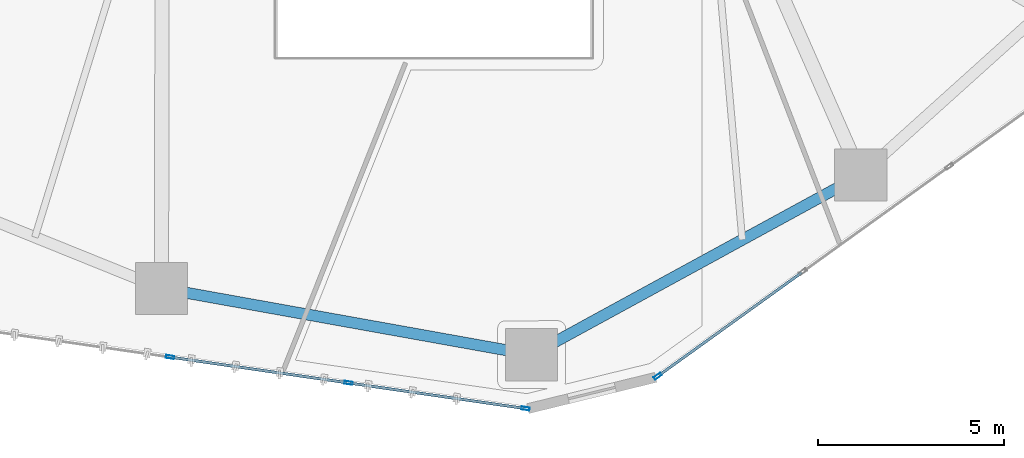
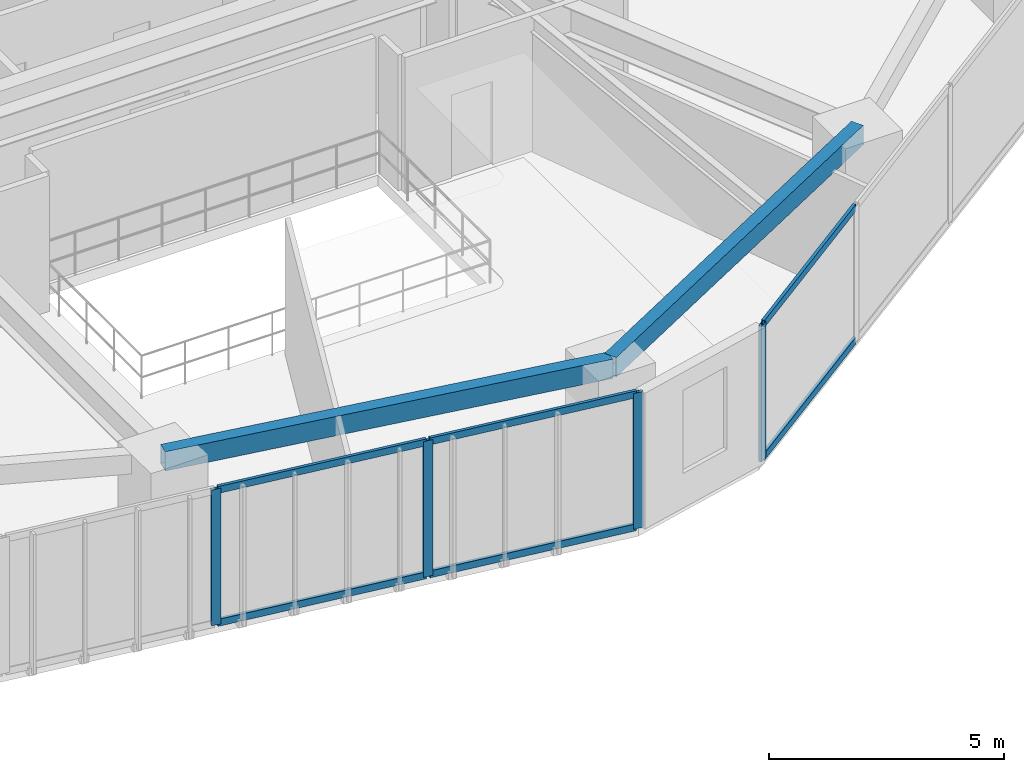
# One storey, part 4 of 22: 10 members, 2 beams, 2 elements without a shape of their own.
"""IFC4 building model written with IfcOpenShell, lengths in metres."""

from ifc_helpers import new_model, si_unit, direction, frame, origin, origin_2d, place, context, subcontext, project, spatial, hollow_rectangle, extrude, source, transform, mapped, material, layer, layer_set, material_profile, profile_set, type_object, type_shapes, element, aggregate, save


model = new_model("IFC4")

# Units and contexts
model_context = context("Model", 3, precision=1e-05, world=origin(), true_north=direction((0.0, 1.0)))
body_context = subcontext(model_context, "Body", "Model", "MODEL_VIEW")
ifc_project = project(units=[si_unit("LENGTHUNIT", "METRE"), si_unit("AREAUNIT", "SQUARE_METRE"), si_unit("VOLUMEUNIT", "CUBIC_METRE"), si_unit("PLANEANGLEUNIT", "RADIAN"), si_unit("MASSUNIT", "GRAM", prefix="KILO")], contexts=[model_context])

# Site, building, storey
site_placement = place(None, origin())
site = spatial("IfcSite", under=ifc_project, at=site_placement, CompositionType="ELEMENT")
building_placement = place(site_placement, origin())
building = spatial("IfcBuilding", under=site, at=building_placement, Name="Talar Marvaseh", CompositionType="ELEMENT")
storey_placement = place(building_placement, frame((0.0, 0.0, 65.800048828125)))
storey = spatial("IfcBuildingStorey", under=building, at=storey_placement, Name="L16", CompositionType="ELEMENT", Elevation=65.800048828125)

# Beams
ifc_material_1 = material(Name="Steel S355", Category="steel")
ifc_material_profile_1 = material_profile(ifc_material_1, hollow_rectangle(XDim=0.300048828125, YDim=0.5, WallThickness=0.02001953125, at=origin_2d()), Name="RHS500x300x20")
ifc_profile_set_1 = profile_set([ifc_material_profile_1], Name="Steel S355")
beam_type = type_object("IfcBeamType", Name="Zone 1 Perimeter Spandrel Beam RHS500x300x20", PredefinedType="SPANDREL", material=ifc_profile_set_1)
beam_1_placement = place(storey_placement, frame((37.468017578125, 16.02099609375, 3.27001953125), z_axis=(-0.877792749602, -0.47904059196, 0.0), x_axis=(0.47904059196, -0.877792749602, 0.0)))
element("IfcBeam", 1, at=beam_1_placement, inside=storey, type_object=beam_type, Name="L16 Zone 1 Perimeter Spandrel Beam RHS500x300x20", PredefinedType="SPANDREL", context=body_context, shape_type="SweptSolid", body=[
    extrude(hollow_rectangle(XDim=0.300048828125, YDim=0.5, WallThickness=0.02001953125, at=origin_2d()), origin(), (0.0, 0.0, 1.0), 10.07421875),
])
beam_2_placement = place(storey_placement, frame((28.625, 11.195068359375, 3.27001953125), z_axis=(-0.984279934962, 0.176615428632, 0.0), x_axis=(-0.176615428632, -0.984279934962, 0.0)))
element("IfcBeam", 2, at=beam_2_placement, inside=storey, type_object=beam_type, Name="L16 Zone 1 Perimeter Spandrel Beam RHS500x300x20", PredefinedType="SPANDREL", context=body_context, shape_type="SweptSolid", body=[
    extrude(hollow_rectangle(XDim=0.300048828125, YDim=0.5, WallThickness=0.02001953125, at=origin_2d()), origin(), (0.0, 0.0, 1.0), 10.1005859375),
])

# Curtain wall, member
ifc_material_2 = material(Name="Architectural Aluminium", Category="aluminium")
ifc_layer = layer(ifc_material_2, 0.219970703125)
ifc_layer_set = layer_set([ifc_layer], Name="Architectural Aluminium")
curtain_wall_type = type_object("IfcCurtainWallType", Name="Unitised Low-E Museum Curtain Wall Z1", PredefinedType="NOTDEFINED", material=ifc_layer_set)
curtain_wall_1_placement = place(storey_placement, origin())
curtain_wall_1 = element("IfcCurtainWall", 3, at=curtain_wall_1_placement, inside=storey, type_object=curtain_wall_type, Name="L16 Unitised Low-E Museum Curtain Wall Z1", PredefinedType="NOTDEFINED")
ifc_material_profile_2 = material_profile(ifc_material_2, hollow_rectangle(XDim=0.080078125, YDim=0.219970703125, WallThickness=0.0048828125, at=origin_2d()), Name="RHS220x80x5")
ifc_profile_set_2 = profile_set([ifc_material_profile_2], Name="Architectural Aluminium")
member_type_1 = type_object("IfcMemberType", Name="Unitised Curtain Wall Heavy Mullion RHS220x80x5", PredefinedType="MULLION", material=ifc_profile_set_2)
shared_shape_1 = source(origin(), body_context, "Body", "SweptSolid", [
    extrude(hollow_rectangle(XDim=0.080078125, YDim=0.219970703125, WallThickness=0.0048828125, at=origin_2d()), origin(), (0.0, 0.0, 1.0), 3.52001953125),
])
type_shapes(member_type_1, [shared_shape_1])
member_1_placement = place(storey_placement, frame((32.01220703125, 10.61865234375, 0.0), z_axis=(0.0, 0.0, 1.0), x_axis=(0.584123119832, -0.811665066932, 0.0)))
member_1 = element("IfcMember", 4, at=member_1_placement, type_object=member_type_1, Name="CW-Z1 mullion 6", PredefinedType="MULLION", context=body_context, shape_type="MappedRepresentation", body=[
    mapped(shared_shape_1, transform((0.0, 0.0, 0.0), x_axis=(1.0, 0.0, 0.0), y_axis=(0.0, 1.0, 0.0), z_axis=(0.0, 0.0, 1.0), scale=1.0)),
])

# Curtain wall, members
curtain_wall_2_placement = place(storey_placement, origin())
curtain_wall_2 = element("IfcCurtainWall", 5, at=curtain_wall_2_placement, inside=storey, type_object=curtain_wall_type, Name="L16 Unitised Low-E Museum Curtain Wall Z1", PredefinedType="NOTDEFINED")
member_2_placement = place(storey_placement, frame((28.4619140625, 9.749755859375, 0.0), z_axis=(0.0, 0.0, 1.0), x_axis=(-0.143337904362, -0.98967380746, 0.0)))
member_2 = element("IfcMember", 6, at=member_2_placement, type_object=member_type_1, Name="CW-Z1 mullion 1", PredefinedType="MULLION", context=body_context, shape_type="MappedRepresentation", body=[
    mapped(shared_shape_1, transform((0.0, 0.0, 0.0), x_axis=(1.0, 0.0, 0.0), y_axis=(0.0, 1.0, 0.0), z_axis=(0.0, 0.0, 1.0), scale=1.0)),
])
member_3_placement = place(storey_placement, frame((23.706298828125, 10.438720703125, 0.0), z_axis=(0.0, 0.0, 1.0), x_axis=(-0.143337904362, -0.98967380746, 0.0)))
member_3 = element("IfcMember", 7, at=member_3_placement, type_object=member_type_1, Name="CW-Z1 mullion 2", PredefinedType="MULLION", context=body_context, shape_type="MappedRepresentation", body=[
    mapped(shared_shape_1, transform((0.0, 0.0, 0.0), x_axis=(1.0, 0.0, 0.0), y_axis=(0.0, 1.0, 0.0), z_axis=(0.0, 0.0, 1.0), scale=1.0)),
])
member_4_placement = place(storey_placement, frame((18.910888671875, 11.133056640625, 0.0), z_axis=(0.0, 0.0, 1.0), x_axis=(-0.143337904362, -0.98967380746, 0.0)))
member_4 = element("IfcMember", 8, at=member_4_placement, type_object=member_type_1, Name="CW-Z1 mullion 3", PredefinedType="MULLION", context=body_context, shape_type="MappedRepresentation", body=[
    mapped(shared_shape_1, transform((0.0, 0.0, 0.0), x_axis=(1.0, 0.0, 0.0), y_axis=(0.0, 1.0, 0.0), z_axis=(0.0, 0.0, 1.0), scale=1.0)),
])

# Member
ifc_material_profile_3 = material_profile(ifc_material_2, hollow_rectangle(XDim=0.074951171875, YDim=0.179931640625, WallThickness=0.0048828125, at=origin_2d()), Name="RHS180x75x5")
ifc_profile_set_3 = profile_set([ifc_material_profile_3], Name="Architectural Aluminium")
member_type_2 = type_object("IfcMemberType", Name="Unitised Curtain Wall Transom RHS180x75x5", PredefinedType="USERDEFINED", material=ifc_profile_set_3)
shared_shape_2 = source(origin(), body_context, "Body", "SweptSolid", [
    extrude(hollow_rectangle(XDim=0.074951171875, YDim=0.179931640625, WallThickness=0.0048828125, at=origin_2d()), origin(), (0.0, 0.0, 1.0), 4.725341796875),
])
member_5_placement = place(storey_placement, frame((35.880126953125, 13.402099609375, 0.037353515625), z_axis=(-0.81166171603, -0.584127776031, 0.0), x_axis=(0.584127776031, -0.81166171603, 0.0)))
member_5 = element("IfcMember", 9, at=member_5_placement, type_object=member_type_2, Name="CW-Z1 transom 5.1", ObjectType="TRANSOM", PredefinedType="USERDEFINED", context=body_context, shape_type="MappedRepresentation", body=[
    mapped(shared_shape_2, transform((0.0, 0.0, 0.0), x_axis=(1.0, 0.0, 0.0), y_axis=(0.0, 1.0, 0.0), z_axis=(0.0, 0.0, 1.0), scale=1.0)),
])

member_6_placement = place(storey_placement, frame((35.880126953125, 13.402099609375, 3.482421875), z_axis=(-0.81166171603, -0.584127776031, 0.0), x_axis=(0.584127776031, -0.81166171603, 0.0)))
member_6 = element("IfcMember", 10, at=member_6_placement, type_object=member_type_2, Name="CW-Z1 transom 5.2", ObjectType="TRANSOM", PredefinedType="USERDEFINED", context=body_context, shape_type="MappedRepresentation", body=[
    mapped(shared_shape_2, transform((0.0, 0.0, 0.0), x_axis=(1.0, 0.0, 0.0), y_axis=(0.0, 1.0, 0.0), z_axis=(0.0, 0.0, 1.0), scale=1.0)),
])

aggregate(curtain_wall_1, [member_1, member_5, member_6])

member_7_placement = place(storey_placement, frame((28.42236328125, 9.755615234375, 0.037353515625), z_axis=(-0.989675898872, 0.143323463507, 0.0), x_axis=(-0.143323463507, -0.989675898872, 0.0)))
member_7 = element("IfcMember", 11, at=member_7_placement, type_object=member_type_2, Name="CW-Z1 transom 1.1", ObjectType="TRANSOM", PredefinedType="USERDEFINED", context=body_context, shape_type="MappedRepresentation", body=[
    mapped(shared_shape_2, transform((0.0, 0.0, 0.0), x_axis=(1.0, 0.0, 0.0), y_axis=(0.0, 1.0, 0.0), z_axis=(0.0, 0.0, 1.0), scale=1.0)),
])

member_8_placement = place(storey_placement, frame((28.42236328125, 9.755615234375, 3.482421875), z_axis=(-0.989675898872, 0.143323463507, 0.0), x_axis=(-0.143323463507, -0.989675898872, 0.0)))
member_8 = element("IfcMember", 12, at=member_8_placement, type_object=member_type_2, Name="CW-Z1 transom 1.2", ObjectType="TRANSOM", PredefinedType="USERDEFINED", context=body_context, shape_type="MappedRepresentation", body=[
    mapped(shared_shape_2, transform((0.0, 0.0, 0.0), x_axis=(1.0, 0.0, 0.0), y_axis=(0.0, 1.0, 0.0), z_axis=(0.0, 0.0, 1.0), scale=1.0)),
])

shared_shape_3 = source(origin(), body_context, "Body", "SweptSolid", [
    extrude(hollow_rectangle(XDim=0.074951171875, YDim=0.179931640625, WallThickness=0.0048828125, at=origin_2d()), origin(), (0.0, 0.0, 1.0), 4.765380859375),
])
type_shapes(member_type_2, [shared_shape_2, shared_shape_3])
member_9_placement = place(storey_placement, frame((23.66650390625, 10.4443359375, 0.037353515625), z_axis=(-0.9896719787, 0.143350530434, 0.0), x_axis=(-0.143350530434, -0.9896719787, 0.0)))
member_9 = element("IfcMember", 13, at=member_9_placement, type_object=member_type_2, Name="CW-Z1 transom 2.1", ObjectType="TRANSOM", PredefinedType="USERDEFINED", context=body_context, shape_type="MappedRepresentation", body=[
    mapped(shared_shape_3, transform((0.0, 0.0, 0.0), x_axis=(1.0, 0.0, 0.0), y_axis=(0.0, 1.0, 0.0), z_axis=(0.0, 0.0, 1.0), scale=1.0)),
])

member_10_placement = place(storey_placement, frame((23.66650390625, 10.4443359375, 3.482421875), z_axis=(-0.9896719787, 0.143350530434, 0.0), x_axis=(-0.143350530434, -0.9896719787, 0.0)))
member_10 = element("IfcMember", 14, at=member_10_placement, type_object=member_type_2, Name="CW-Z1 transom 2.2", ObjectType="TRANSOM", PredefinedType="USERDEFINED", context=body_context, shape_type="MappedRepresentation", body=[
    mapped(shared_shape_3, transform((0.0, 0.0, 0.0), x_axis=(1.0, 0.0, 0.0), y_axis=(0.0, 1.0, 0.0), z_axis=(0.0, 0.0, 1.0), scale=1.0)),
])

aggregate(curtain_wall_2, [member_2, member_3, member_4, member_7, member_8, member_9, member_10])

save(model, "model.ifc")
